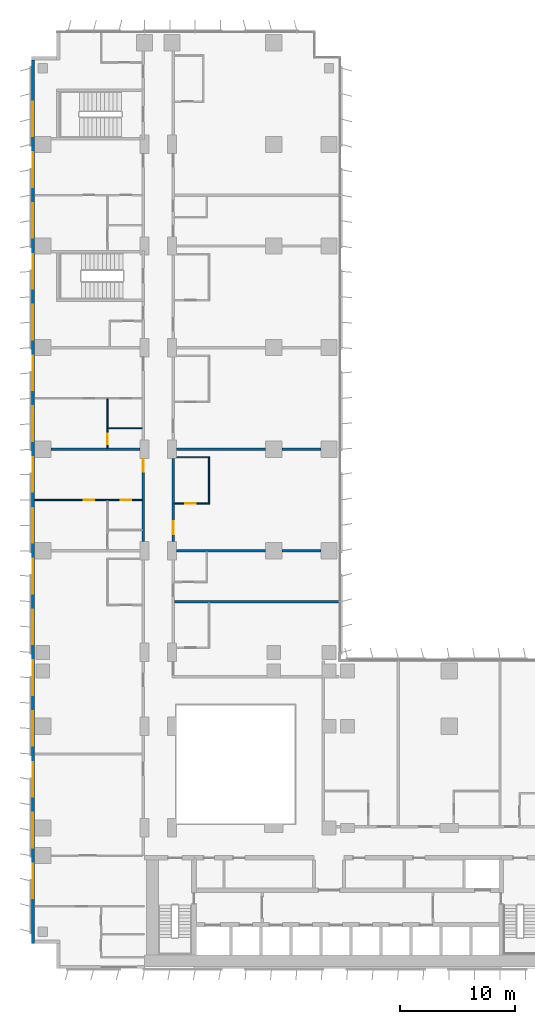
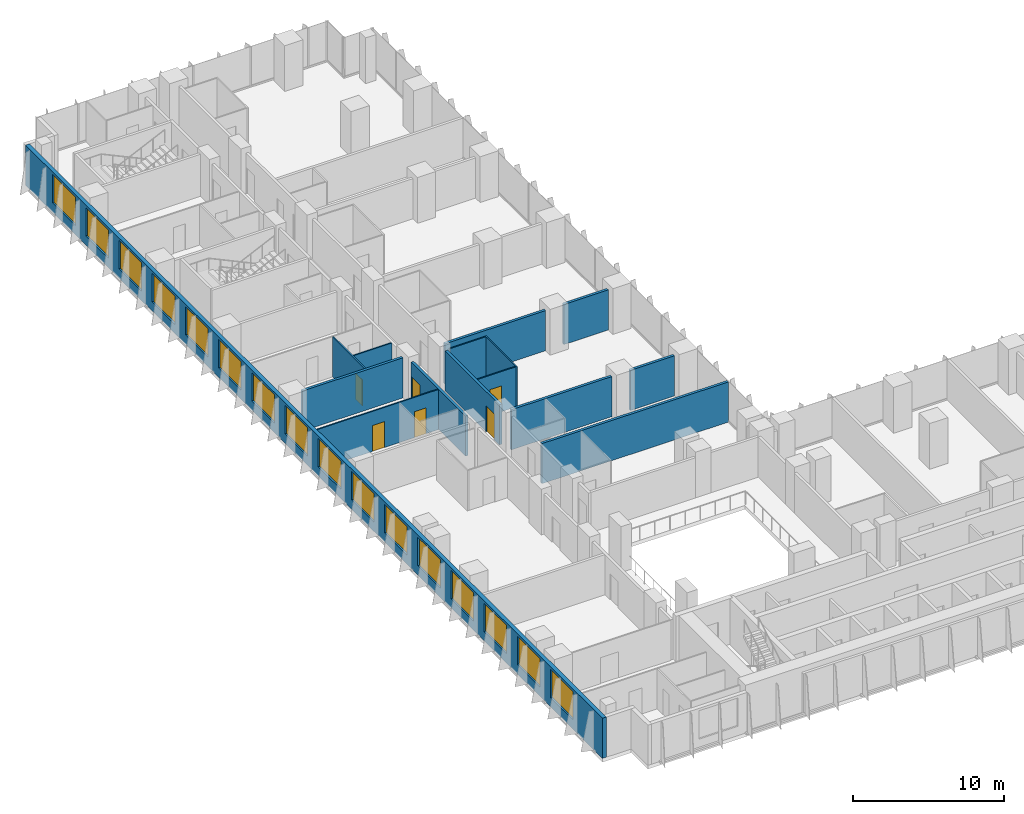
# One storey, part 16 of 24: 16 windows, 15 walls, 6 doors, 22 openings.
"""IFC4 building model written with IfcOpenShell, lengths in metres."""

from ifc_helpers import new_model, si_unit, direction, frame, frame_2d, origin, place, context, subcontext, project, spatial, rectangle, extrude, material, layer, layer_set, type_object, element, fill, save


model = new_model("IFC4")

# Units and contexts
model_context = context("Model", 3, precision=1e-05, world=origin(), true_north=direction((0.0, 1.0)))
body_context = subcontext(model_context, "Body", "Model", "MODEL_VIEW")
ifc_project = project(units=[si_unit("LENGTHUNIT", "METRE"), si_unit("AREAUNIT", "SQUARE_METRE"), si_unit("VOLUMEUNIT", "CUBIC_METRE"), si_unit("PLANEANGLEUNIT", "RADIAN"), si_unit("MASSUNIT", "GRAM", prefix="KILO")], contexts=[model_context])

# Site, building, storey
site_placement = place(None, origin())
site = spatial("IfcSite", under=ifc_project, at=site_placement, CompositionType="ELEMENT")
building_placement = place(site_placement, origin())
building = spatial("IfcBuilding", under=site, at=building_placement, Name="Kemantara Hotel Tower", CompositionType="ELEMENT")
storey_placement = place(building_placement, frame((0.0, 0.0, 79.699951171875)))
storey = spatial("IfcBuildingStorey", under=building, at=storey_placement, Name="L18", CompositionType="ELEMENT", Elevation=79.699951171875)

# Wall, openings, windows
ifc_material_1 = material(Name="Bronze anodised aluminium cladding on insulated steel stud wall", Category="steel")
ifc_layer_1 = layer(ifc_material_1, 0.300048828125)
ifc_layer_set_1 = layer_set([ifc_layer_1], Name="Bronze anodised aluminium cladding on insulated steel stud wall")
wall_type_1 = type_object("IfcWallType", Name="BRONZE METAL-CLAD EXTERNAL WALL 300", PredefinedType="STANDARD", material=ifc_layer_set_1)
wall_1_placement = place(storey_placement, frame((0.14990234375, 78.699951171875, 0.0), z_axis=(0.0, 0.0, 1.0), x_axis=(0.0, -1.0, 0.0)))
wall_1 = element("IfcWall", 1, at=wall_1_placement, inside=storey, type_object=wall_type_1, Name="EXTERNAL WALL L18 T1-R14", PredefinedType="STANDARD", context=body_context, shape_type="SweptSolid", body=[
    extrude(rectangle(XDim=76.5, YDim=0.300048828125, at=frame_2d((38.25, 0.0))), origin(), (0.0, 0.0, 1.0), 3.25),
])
opening_1_placement = place(wall_1_placement, frame((3.60009765625, 0.0, 0.75)))
opening_1 = element("IfcOpeningElement", 2, at=opening_1_placement, cuts=wall_1, Name="Opening W1", PredefinedType="OPENING", context=body_context, shape_type="SweptSolid", body=[
    extrude(rectangle(XDim=3.0, YDim=2.300048828125, at=frame_2d((1.5, 1.14990234375))), frame((0.0, 0.159912109375, 0.0), z_axis=(0.0, -1.0, 0.0), x_axis=(1.0, 0.0, 0.0)), (0.0, 0.0, 1.0), 0.320068359375),
])
opening_2_placement = place(wall_1_placement, frame((8.0, 0.0, 0.75)))
opening_2 = element("IfcOpeningElement", 3, at=opening_2_placement, cuts=wall_1, Name="Opening W1", PredefinedType="OPENING", context=body_context, shape_type="SweptSolid", body=[
    extrude(rectangle(XDim=3.0, YDim=2.300048828125, at=frame_2d((1.5, 1.14990234375))), frame((0.0, 0.159912109375, 0.0), z_axis=(0.0, -1.0, 0.0), x_axis=(1.0, 0.0, 0.0)), (0.0, 0.0, 1.0), 0.320068359375),
])
opening_3_placement = place(wall_1_placement, frame((12.39990234375, 0.0, 0.75)))
opening_3 = element("IfcOpeningElement", 4, at=opening_3_placement, cuts=wall_1, Name="Opening W1", PredefinedType="OPENING", context=body_context, shape_type="SweptSolid", body=[
    extrude(rectangle(XDim=3.0, YDim=2.300048828125, at=frame_2d((1.5, 1.14990234375))), frame((0.0, 0.159912109375, 0.0), z_axis=(0.0, -1.0, 0.0), x_axis=(1.0, 0.0, 0.0)), (0.0, 0.0, 1.0), 0.320068359375),
])
opening_4_placement = place(wall_1_placement, frame((16.800048828125, 0.0, 0.75)))
opening_4 = element("IfcOpeningElement", 5, at=opening_4_placement, cuts=wall_1, Name="Opening W1", PredefinedType="OPENING", context=body_context, shape_type="SweptSolid", body=[
    extrude(rectangle(XDim=3.0, YDim=2.300048828125, at=frame_2d((1.5, 1.14990234375))), frame((0.0, 0.159912109375, 0.0), z_axis=(0.0, -1.0, 0.0), x_axis=(1.0, 0.0, 0.0)), (0.0, 0.0, 1.0), 0.320068359375),
])
opening_5_placement = place(wall_1_placement, frame((21.199951171875, 0.0, 0.75)))
opening_5 = element("IfcOpeningElement", 6, at=opening_5_placement, cuts=wall_1, Name="Opening W1", PredefinedType="OPENING", context=body_context, shape_type="SweptSolid", body=[
    extrude(rectangle(XDim=3.0, YDim=2.300048828125, at=frame_2d((1.5, 1.14990234375))), frame((0.0, 0.159912109375, 0.0), z_axis=(0.0, -1.0, 0.0), x_axis=(1.0, 0.0, 0.0)), (0.0, 0.0, 1.0), 0.320068359375),
])
opening_6_placement = place(wall_1_placement, frame((25.60009765625, 0.0, 0.75)))
opening_6 = element("IfcOpeningElement", 7, at=opening_6_placement, cuts=wall_1, Name="Opening W1", PredefinedType="OPENING", context=body_context, shape_type="SweptSolid", body=[
    extrude(rectangle(XDim=3.0, YDim=2.300048828125, at=frame_2d((1.5, 1.14990234375))), frame((0.0, 0.159912109375, 0.0), z_axis=(0.0, -1.0, 0.0), x_axis=(1.0, 0.0, 0.0)), (0.0, 0.0, 1.0), 0.320068359375),
])
opening_7_placement = place(wall_1_placement, frame((30.0, 0.0, 0.75)))
opening_7 = element("IfcOpeningElement", 8, at=opening_7_placement, cuts=wall_1, Name="Opening W1", PredefinedType="OPENING", context=body_context, shape_type="SweptSolid", body=[
    extrude(rectangle(XDim=3.0, YDim=2.300048828125, at=frame_2d((1.5, 1.14990234375))), frame((0.0, 0.159912109375, 0.0), z_axis=(0.0, -1.0, 0.0), x_axis=(1.0, 0.0, 0.0)), (0.0, 0.0, 1.0), 0.320068359375),
])
opening_8_placement = place(wall_1_placement, frame((34.39990234375, 0.0, 0.75)))
opening_8 = element("IfcOpeningElement", 9, at=opening_8_placement, cuts=wall_1, Name="Opening W1", PredefinedType="OPENING", context=body_context, shape_type="SweptSolid", body=[
    extrude(rectangle(XDim=3.0, YDim=2.300048828125, at=frame_2d((1.5, 1.14990234375))), frame((0.0, 0.159912109375, 0.0), z_axis=(0.0, -1.0, 0.0), x_axis=(1.0, 0.0, 0.0)), (0.0, 0.0, 1.0), 0.320068359375),
])
opening_9_placement = place(wall_1_placement, frame((38.800048828125, 0.0, 0.75)))
opening_9 = element("IfcOpeningElement", 10, at=opening_9_placement, cuts=wall_1, Name="Opening W1", PredefinedType="OPENING", context=body_context, shape_type="SweptSolid", body=[
    extrude(rectangle(XDim=3.0, YDim=2.300048828125, at=frame_2d((1.5, 1.14990234375))), frame((0.0, 0.159912109375, 0.0), z_axis=(0.0, -1.0, 0.0), x_axis=(1.0, 0.0, 0.0)), (0.0, 0.0, 1.0), 0.320068359375),
])
opening_10_placement = place(wall_1_placement, frame((43.199951171875, 0.0, 0.75)))
opening_10 = element("IfcOpeningElement", 11, at=opening_10_placement, cuts=wall_1, Name="Opening W1", PredefinedType="OPENING", context=body_context, shape_type="SweptSolid", body=[
    extrude(rectangle(XDim=3.0, YDim=2.300048828125, at=frame_2d((1.5, 1.14990234375))), frame((0.0, 0.159912109375, 0.0), z_axis=(0.0, -1.0, 0.0), x_axis=(1.0, 0.0, 0.0)), (0.0, 0.0, 1.0), 0.320068359375),
])
opening_11_placement = place(wall_1_placement, frame((47.60009765625, 0.0, 0.75)))
opening_11 = element("IfcOpeningElement", 12, at=opening_11_placement, cuts=wall_1, Name="Opening W1", PredefinedType="OPENING", context=body_context, shape_type="SweptSolid", body=[
    extrude(rectangle(XDim=3.0, YDim=2.300048828125, at=frame_2d((1.5, 1.14990234375))), frame((0.0, 0.159912109375, 0.0), z_axis=(0.0, -1.0, 0.0), x_axis=(1.0, 0.0, 0.0)), (0.0, 0.0, 1.0), 0.320068359375),
])
opening_12_placement = place(wall_1_placement, frame((52.0, 0.0, 0.75)))
opening_12 = element("IfcOpeningElement", 13, at=opening_12_placement, cuts=wall_1, Name="Opening W1", PredefinedType="OPENING", context=body_context, shape_type="SweptSolid", body=[
    extrude(rectangle(XDim=3.0, YDim=2.300048828125, at=frame_2d((1.5, 1.14990234375))), frame((0.0, 0.159912109375, 0.0), z_axis=(0.0, -1.0, 0.0), x_axis=(1.0, 0.0, 0.0)), (0.0, 0.0, 1.0), 0.320068359375),
])
opening_13_placement = place(wall_1_placement, frame((56.39990234375, 0.0, 0.75)))
opening_13 = element("IfcOpeningElement", 14, at=opening_13_placement, cuts=wall_1, Name="Opening W1", PredefinedType="OPENING", context=body_context, shape_type="SweptSolid", body=[
    extrude(rectangle(XDim=3.0, YDim=2.300048828125, at=frame_2d((1.5, 1.14990234375))), frame((0.0, 0.159912109375, 0.0), z_axis=(0.0, -1.0, 0.0), x_axis=(1.0, 0.0, 0.0)), (0.0, 0.0, 1.0), 0.320068359375),
])
opening_14_placement = place(wall_1_placement, frame((60.800048828125, 0.0, 0.75)))
opening_14 = element("IfcOpeningElement", 15, at=opening_14_placement, cuts=wall_1, Name="Opening W1", PredefinedType="OPENING", context=body_context, shape_type="SweptSolid", body=[
    extrude(rectangle(XDim=3.0, YDim=2.300048828125, at=frame_2d((1.5, 1.14990234375))), frame((0.0, 0.159912109375, 0.0), z_axis=(0.0, -1.0, 0.0), x_axis=(1.0, 0.0, 0.0)), (0.0, 0.0, 1.0), 0.320068359375),
])
opening_15_placement = place(wall_1_placement, frame((65.199951171875, 0.0, 0.75)))
opening_15 = element("IfcOpeningElement", 16, at=opening_15_placement, cuts=wall_1, Name="Opening W1", PredefinedType="OPENING", context=body_context, shape_type="SweptSolid", body=[
    extrude(rectangle(XDim=3.0, YDim=2.300048828125, at=frame_2d((1.5, 1.14990234375))), frame((0.0, 0.159912109375, 0.0), z_axis=(0.0, -1.0, 0.0), x_axis=(1.0, 0.0, 0.0)), (0.0, 0.0, 1.0), 0.320068359375),
])
opening_16_placement = place(wall_1_placement, frame((69.60009765625, 0.0, 0.75)))
opening_16 = element("IfcOpeningElement", 17, at=opening_16_placement, cuts=wall_1, Name="Opening W1", PredefinedType="OPENING", context=body_context, shape_type="SweptSolid", body=[
    extrude(rectangle(XDim=3.0, YDim=2.300048828125, at=frame_2d((1.5, 1.14990234375))), frame((0.0, 0.159912109375, 0.0), z_axis=(0.0, -1.0, 0.0), x_axis=(1.0, 0.0, 0.0)), (0.0, 0.0, 1.0), 0.320068359375),
])
ifc_material_2 = material(Name="Low-E tinted double insulated glass in bronze anodised aluminium frame", Category="aluminium")
window_type = type_object("IfcWindowType", Name="CHICAGO WINDOW, TRIPLE PANEL 3000x2300", PartitioningType="TRIPLE_PANEL_VERTICAL", PredefinedType="WINDOW", material=ifc_material_2)
window_1_placement = place(opening_1_placement, origin())
window_1 = element("IfcWindow", 18, at=window_1_placement, inside=storey, type_object=window_type, Name="CHICAGO WINDOW L18 T1-R14-54", OverallHeight=2.300048828125, OverallWidth=3.0, PartitioningType="SINGLE_PANEL", PredefinedType="WINDOW", context=body_context, shape_type="SweptSolid", body=[
    extrude(rectangle(XDim=3.0, YDim=2.300048828125, at=frame_2d((1.5, 1.14990234375))), frame((0.0, 0.030029296875, 0.0), z_axis=(0.0, -1.0, 0.0), x_axis=(1.0, 0.0, 0.0)), (0.0, 0.0, 1.0), 0.06005859375),
])
fill(opening_1, window_1)
window_2_placement = place(opening_2_placement, origin())
window_2 = element("IfcWindow", 19, at=window_2_placement, inside=storey, type_object=window_type, Name="CHICAGO WINDOW L18 T1-R14-98", OverallHeight=2.300048828125, OverallWidth=3.0, PartitioningType="SINGLE_PANEL", PredefinedType="WINDOW", context=body_context, shape_type="SweptSolid", body=[
    extrude(rectangle(XDim=3.0, YDim=2.300048828125, at=frame_2d((1.5, 1.14990234375))), frame((0.0, 0.030029296875, 0.0), z_axis=(0.0, -1.0, 0.0), x_axis=(1.0, 0.0, 0.0)), (0.0, 0.0, 1.0), 0.06005859375),
])
fill(opening_2, window_2)
window_3_placement = place(opening_3_placement, origin())
window_3 = element("IfcWindow", 20, at=window_3_placement, inside=storey, type_object=window_type, Name="CHICAGO WINDOW L18 T1-R14-142", OverallHeight=2.300048828125, OverallWidth=3.0, PartitioningType="SINGLE_PANEL", PredefinedType="WINDOW", context=body_context, shape_type="SweptSolid", body=[
    extrude(rectangle(XDim=3.0, YDim=2.300048828125, at=frame_2d((1.5, 1.14990234375))), frame((0.0, 0.030029296875, 0.0), z_axis=(0.0, -1.0, 0.0), x_axis=(1.0, 0.0, 0.0)), (0.0, 0.0, 1.0), 0.06005859375),
])
fill(opening_3, window_3)
window_4_placement = place(opening_4_placement, origin())
window_4 = element("IfcWindow", 21, at=window_4_placement, inside=storey, type_object=window_type, Name="CHICAGO WINDOW L18 T1-R14-186", OverallHeight=2.300048828125, OverallWidth=3.0, PartitioningType="SINGLE_PANEL", PredefinedType="WINDOW", context=body_context, shape_type="SweptSolid", body=[
    extrude(rectangle(XDim=3.0, YDim=2.300048828125, at=frame_2d((1.5, 1.14990234375))), frame((0.0, 0.030029296875, 0.0), z_axis=(0.0, -1.0, 0.0), x_axis=(1.0, 0.0, 0.0)), (0.0, 0.0, 1.0), 0.06005859375),
])
fill(opening_4, window_4)
window_5_placement = place(opening_5_placement, origin())
window_5 = element("IfcWindow", 22, at=window_5_placement, inside=storey, type_object=window_type, Name="CHICAGO WINDOW L18 T1-R14-230", OverallHeight=2.300048828125, OverallWidth=3.0, PartitioningType="SINGLE_PANEL", PredefinedType="WINDOW", context=body_context, shape_type="SweptSolid", body=[
    extrude(rectangle(XDim=3.0, YDim=2.300048828125, at=frame_2d((1.5, 1.14990234375))), frame((0.0, 0.030029296875, 0.0), z_axis=(0.0, -1.0, 0.0), x_axis=(1.0, 0.0, 0.0)), (0.0, 0.0, 1.0), 0.06005859375),
])
fill(opening_5, window_5)
window_6_placement = place(opening_6_placement, origin())
window_6 = element("IfcWindow", 23, at=window_6_placement, inside=storey, type_object=window_type, Name="CHICAGO WINDOW L18 T1-R14-274", OverallHeight=2.300048828125, OverallWidth=3.0, PartitioningType="SINGLE_PANEL", PredefinedType="WINDOW", context=body_context, shape_type="SweptSolid", body=[
    extrude(rectangle(XDim=3.0, YDim=2.300048828125, at=frame_2d((1.5, 1.14990234375))), frame((0.0, 0.030029296875, 0.0), z_axis=(0.0, -1.0, 0.0), x_axis=(1.0, 0.0, 0.0)), (0.0, 0.0, 1.0), 0.06005859375),
])
fill(opening_6, window_6)
window_7_placement = place(opening_7_placement, origin())
window_7 = element("IfcWindow", 24, at=window_7_placement, inside=storey, type_object=window_type, Name="CHICAGO WINDOW L18 T1-R14-318", OverallHeight=2.300048828125, OverallWidth=3.0, PartitioningType="SINGLE_PANEL", PredefinedType="WINDOW", context=body_context, shape_type="SweptSolid", body=[
    extrude(rectangle(XDim=3.0, YDim=2.300048828125, at=frame_2d((1.5, 1.14990234375))), frame((0.0, 0.030029296875, 0.0), z_axis=(0.0, -1.0, 0.0), x_axis=(1.0, 0.0, 0.0)), (0.0, 0.0, 1.0), 0.06005859375),
])
fill(opening_7, window_7)
window_8_placement = place(opening_8_placement, origin())
window_8 = element("IfcWindow", 25, at=window_8_placement, inside=storey, type_object=window_type, Name="CHICAGO WINDOW L18 T1-R14-362", OverallHeight=2.300048828125, OverallWidth=3.0, PartitioningType="SINGLE_PANEL", PredefinedType="WINDOW", context=body_context, shape_type="SweptSolid", body=[
    extrude(rectangle(XDim=3.0, YDim=2.300048828125, at=frame_2d((1.5, 1.14990234375))), frame((0.0, 0.030029296875, 0.0), z_axis=(0.0, -1.0, 0.0), x_axis=(1.0, 0.0, 0.0)), (0.0, 0.0, 1.0), 0.06005859375),
])
fill(opening_8, window_8)
window_9_placement = place(opening_9_placement, origin())
window_9 = element("IfcWindow", 26, at=window_9_placement, inside=storey, type_object=window_type, Name="CHICAGO WINDOW L18 T1-R14-406", OverallHeight=2.300048828125, OverallWidth=3.0, PartitioningType="SINGLE_PANEL", PredefinedType="WINDOW", context=body_context, shape_type="SweptSolid", body=[
    extrude(rectangle(XDim=3.0, YDim=2.300048828125, at=frame_2d((1.5, 1.14990234375))), frame((0.0, 0.030029296875, 0.0), z_axis=(0.0, -1.0, 0.0), x_axis=(1.0, 0.0, 0.0)), (0.0, 0.0, 1.0), 0.06005859375),
])
fill(opening_9, window_9)
window_10_placement = place(opening_10_placement, origin())
window_10 = element("IfcWindow", 27, at=window_10_placement, inside=storey, type_object=window_type, Name="CHICAGO WINDOW L18 T1-R14-450", OverallHeight=2.300048828125, OverallWidth=3.0, PartitioningType="SINGLE_PANEL", PredefinedType="WINDOW", context=body_context, shape_type="SweptSolid", body=[
    extrude(rectangle(XDim=3.0, YDim=2.300048828125, at=frame_2d((1.5, 1.14990234375))), frame((0.0, 0.030029296875, 0.0), z_axis=(0.0, -1.0, 0.0), x_axis=(1.0, 0.0, 0.0)), (0.0, 0.0, 1.0), 0.06005859375),
])
fill(opening_10, window_10)
window_11_placement = place(opening_11_placement, origin())
window_11 = element("IfcWindow", 28, at=window_11_placement, inside=storey, type_object=window_type, Name="CHICAGO WINDOW L18 T1-R14-494", OverallHeight=2.300048828125, OverallWidth=3.0, PartitioningType="SINGLE_PANEL", PredefinedType="WINDOW", context=body_context, shape_type="SweptSolid", body=[
    extrude(rectangle(XDim=3.0, YDim=2.300048828125, at=frame_2d((1.5, 1.14990234375))), frame((0.0, 0.030029296875, 0.0), z_axis=(0.0, -1.0, 0.0), x_axis=(1.0, 0.0, 0.0)), (0.0, 0.0, 1.0), 0.06005859375),
])
fill(opening_11, window_11)
window_12_placement = place(opening_12_placement, origin())
window_12 = element("IfcWindow", 29, at=window_12_placement, inside=storey, type_object=window_type, Name="CHICAGO WINDOW L18 T1-R14-538", OverallHeight=2.300048828125, OverallWidth=3.0, PartitioningType="SINGLE_PANEL", PredefinedType="WINDOW", context=body_context, shape_type="SweptSolid", body=[
    extrude(rectangle(XDim=3.0, YDim=2.300048828125, at=frame_2d((1.5, 1.14990234375))), frame((0.0, 0.030029296875, 0.0), z_axis=(0.0, -1.0, 0.0), x_axis=(1.0, 0.0, 0.0)), (0.0, 0.0, 1.0), 0.06005859375),
])
fill(opening_12, window_12)
window_13_placement = place(opening_13_placement, origin())
window_13 = element("IfcWindow", 30, at=window_13_placement, inside=storey, type_object=window_type, Name="CHICAGO WINDOW L18 T1-R14-582", OverallHeight=2.300048828125, OverallWidth=3.0, PartitioningType="SINGLE_PANEL", PredefinedType="WINDOW", context=body_context, shape_type="SweptSolid", body=[
    extrude(rectangle(XDim=3.0, YDim=2.300048828125, at=frame_2d((1.5, 1.14990234375))), frame((0.0, 0.030029296875, 0.0), z_axis=(0.0, -1.0, 0.0), x_axis=(1.0, 0.0, 0.0)), (0.0, 0.0, 1.0), 0.06005859375),
])
fill(opening_13, window_13)
window_14_placement = place(opening_14_placement, origin())
window_14 = element("IfcWindow", 31, at=window_14_placement, inside=storey, type_object=window_type, Name="CHICAGO WINDOW L18 T1-R14-626", OverallHeight=2.300048828125, OverallWidth=3.0, PartitioningType="SINGLE_PANEL", PredefinedType="WINDOW", context=body_context, shape_type="SweptSolid", body=[
    extrude(rectangle(XDim=3.0, YDim=2.300048828125, at=frame_2d((1.5, 1.14990234375))), frame((0.0, 0.030029296875, 0.0), z_axis=(0.0, -1.0, 0.0), x_axis=(1.0, 0.0, 0.0)), (0.0, 0.0, 1.0), 0.06005859375),
])
fill(opening_14, window_14)
window_15_placement = place(opening_15_placement, origin())
window_15 = element("IfcWindow", 32, at=window_15_placement, inside=storey, type_object=window_type, Name="CHICAGO WINDOW L18 T1-R14-670", OverallHeight=2.300048828125, OverallWidth=3.0, PartitioningType="SINGLE_PANEL", PredefinedType="WINDOW", context=body_context, shape_type="SweptSolid", body=[
    extrude(rectangle(XDim=3.0, YDim=2.300048828125, at=frame_2d((1.5, 1.14990234375))), frame((0.0, 0.030029296875, 0.0), z_axis=(0.0, -1.0, 0.0), x_axis=(1.0, 0.0, 0.0)), (0.0, 0.0, 1.0), 0.06005859375),
])
fill(opening_15, window_15)
window_16_placement = place(opening_16_placement, origin())
window_16 = element("IfcWindow", 33, at=window_16_placement, inside=storey, type_object=window_type, Name="CHICAGO WINDOW L18 T1-R14-714", OverallHeight=2.300048828125, OverallWidth=3.0, PartitioningType="SINGLE_PANEL", PredefinedType="WINDOW", context=body_context, shape_type="SweptSolid", body=[
    extrude(rectangle(XDim=3.0, YDim=2.300048828125, at=frame_2d((1.5, 1.14990234375))), frame((0.0, 0.030029296875, 0.0), z_axis=(0.0, -1.0, 0.0), x_axis=(1.0, 0.0, 0.0)), (0.0, 0.0, 1.0), 0.06005859375),
])
fill(opening_16, window_16)

# Wall, opening, door
ifc_material_3 = material(Name="Gypsum board partition, steel studs and mineral wool, 200 mm", Category="steel")
ifc_layer_2 = layer(ifc_material_3, 0.199951171875)
ifc_layer_set_2 = layer_set([ifc_layer_2], Name="Gypsum board partition, steel studs and mineral wool, 200 mm")
wall_type_2 = type_object("IfcWallType", Name="CORRIDOR WALL 200", PredefinedType="PARTITIONING", material=ifc_layer_set_2)
wall_2_placement = place(storey_placement, frame((9.699951171875, 37.0, 0.0), z_axis=(0.0, 0.0, 1.0), x_axis=(0.0, 1.0, 0.0)))
wall_2 = element("IfcWall", 34, at=wall_2_placement, inside=storey, type_object=wall_type_2, Name="CORRIDOR WALL 200 029", PredefinedType="PARTITIONING", context=body_context, shape_type="SweptSolid", body=[
    extrude(rectangle(XDim=7.199951171875, YDim=0.199951171875, at=frame_2d((3.60009765625, 0.0))), origin(), (0.0, 0.0, 1.0), 3.25),
])
opening_17_placement = place(wall_2_placement, frame((6.0498046875, 0.0, 0.0)))
opening_17 = element("IfcOpeningElement", 35, at=opening_17_placement, cuts=wall_2, Name="Opening F06-036", PredefinedType="OPENING", context=body_context, shape_type="SweptSolid", body=[
    extrude(rectangle(XDim=1.10009765625, YDim=2.10009765625, at=frame_2d((0.550048828125, 1.050048828125))), frame((0.0, 0.10986328125, 0.0), z_axis=(0.0, -1.0, 0.0), x_axis=(1.0, 0.0, 0.0)), (0.0, 0.0, 1.0), 0.219970703125),
])
ifc_material_4 = material(Name="Hardwood veneer door leaf with steel frame", Category="steel")
door_type_1 = type_object("IfcDoorType", Name="SUITE ENTRANCE DOOR 1100 X 2100 FD30S", OperationType="NOTDEFINED", PredefinedType="DOOR", material=ifc_material_4)
door_1_placement = place(opening_17_placement, origin())
door_1 = element("IfcDoor", 36, at=door_1_placement, inside=storey, type_object=door_type_1, Name="SUITE ENTRANCE DOOR F06-036", OperationType="SINGLE_SWING_RIGHT", OverallHeight=2.10009765625, OverallWidth=1.10009765625, PredefinedType="DOOR", context=body_context, shape_type="SweptSolid", body=[
    extrude(rectangle(XDim=1.10009765625, YDim=2.10009765625, at=frame_2d((0.550048828125, 1.050048828125))), frame((0.0, 0.02490234375, 0.0), z_axis=(0.0, -1.0, 0.0), x_axis=(1.0, 0.0, 0.0)), (0.0, 0.0, 1.0), 0.050048828125),
])
fill(opening_17, door_1)

wall_3_placement = place(storey_placement, frame((12.300048828125, 44.199951171875, 0.0), z_axis=(0.0, 0.0, 1.0), x_axis=(0.0, -1.0, 0.0)))
wall_3 = element("IfcWall", 37, at=wall_3_placement, inside=storey, type_object=wall_type_2, Name="CORRIDOR WALL 200 046", PredefinedType="PARTITIONING", context=body_context, shape_type="SweptSolid", body=[
    extrude(rectangle(XDim=7.199951171875, YDim=0.199951171875, at=frame_2d((3.60009765625, 0.0))), origin(), (0.0, 0.0, 1.0), 3.25),
])
opening_18_placement = place(wall_3_placement, frame((5.449951171875, 0.0, 0.0)))
opening_18 = element("IfcOpeningElement", 38, at=opening_18_placement, cuts=wall_3, Name="Opening F06-056", PredefinedType="OPENING", context=body_context, shape_type="SweptSolid", body=[
    extrude(rectangle(XDim=1.10009765625, YDim=2.10009765625, at=frame_2d((0.550048828125, 1.050048828125))), frame((0.0, 0.10986328125, 0.0), z_axis=(0.0, -1.0, 0.0), x_axis=(1.0, 0.0, 0.0)), (0.0, 0.0, 1.0), 0.219970703125),
])
door_2_placement = place(opening_18_placement, origin())
door_2 = element("IfcDoor", 39, at=door_2_placement, inside=storey, type_object=door_type_1, Name="SUITE ENTRANCE DOOR F06-056", OperationType="SINGLE_SWING_RIGHT", OverallHeight=2.10009765625, OverallWidth=1.10009765625, PredefinedType="DOOR", context=body_context, shape_type="SweptSolid", body=[
    extrude(rectangle(XDim=1.10009765625, YDim=2.10009765625, at=frame_2d((0.550048828125, 1.050048828125))), frame((0.0, 0.02490234375, 0.0), z_axis=(0.0, -1.0, 0.0), x_axis=(1.0, 0.0, 0.0)), (0.0, 0.0, 1.0), 0.050048828125),
])
fill(opening_18, door_2)

# Walls
ifc_layer_3 = layer(ifc_material_3, 0.199951171875)
ifc_layer_set_3 = layer_set([ifc_layer_3], Name="Gypsum board partition, steel studs and mineral wool, 200 mm")
wall_type_3 = type_object("IfcWallType", Name="GUEST ROOM PARTY WALL 200", PredefinedType="PARTITIONING", material=ifc_layer_set_3)
wall_4_placement = place(storey_placement, frame((12.60009765625, 36.199951171875, 0.0), z_axis=(0.0, 0.0, 1.0), x_axis=(1.0, 0.0, 0.0)))
element("IfcWall", 40, at=wall_4_placement, inside=storey, type_object=wall_type_3, Name="GUEST ROOM PARTY WALL 200 036", PredefinedType="PARTITIONING", context=body_context, shape_type="SweptSolid", body=[
    extrude(rectangle(XDim=7.69970703125, YDim=0.199951171875, at=frame_2d((3.849853515625, 0.0))), origin(), (0.0, 0.0, 1.0), 3.25),
])
wall_5_placement = place(storey_placement, frame((21.7001953125, 36.199951171875, 0.0), z_axis=(0.0, 0.0, 1.0), x_axis=(1.0, 0.0, 0.0)))
element("IfcWall", 41, at=wall_5_placement, inside=storey, type_object=wall_type_3, Name="GUEST ROOM PARTY WALL 200 037", PredefinedType="PARTITIONING", context=body_context, shape_type="SweptSolid", body=[
    extrude(rectangle(XDim=3.399658203125, YDim=0.199951171875, at=frame_2d((1.69970703125, 0.0))), origin(), (0.0, 0.0, 1.0), 3.25),
])
for number, where, z_axis, x_axis, name in (
    (42, (1.7001953125, 45.0, 0.0), (0.0, 0.0, 1.0), (1.0, 0.0, 0.0), "GUEST ROOM PARTY WALL 200 038"),
    (43, (12.60009765625, 45.0, 0.0), (0.0, 0.0, 1.0), (1.0, 0.0, 0.0), "GUEST ROOM PARTY WALL 200 039"),
):
    element("IfcWall", number, at=place(storey_placement, frame(where, z_axis=z_axis, x_axis=x_axis)), inside=storey, type_object=wall_type_3, Name=name, PredefinedType="PARTITIONING", context=body_context, shape_type="SweptSolid", body=[
        extrude(rectangle(XDim=7.69970703125, YDim=0.199951171875, at=frame_2d((3.849853515625, 0.0))), origin(), (0.0, 0.0, 1.0), 3.25),
    ])
wall_6_placement = place(storey_placement, frame((21.7001953125, 45.0, 0.0), z_axis=(0.0, 0.0, 1.0), x_axis=(1.0, 0.0, 0.0)))
element("IfcWall", 44, at=wall_6_placement, inside=storey, type_object=wall_type_3, Name="GUEST ROOM PARTY WALL 200 040", PredefinedType="PARTITIONING", context=body_context, shape_type="SweptSolid", body=[
    extrude(rectangle(XDim=3.399658203125, YDim=0.199951171875, at=frame_2d((1.69970703125, 0.0))), origin(), (0.0, 0.0, 1.0), 3.25),
])
wall_7_placement = place(storey_placement, frame((12.39990234375, 31.800048828125, 0.0), z_axis=(0.0, 0.0, 1.0), x_axis=(1.0, 0.0, 0.0)))
element("IfcWall", 45, at=wall_7_placement, inside=storey, type_object=wall_type_3, Name="GUEST ROOM PARTY WALL 200 054", PredefinedType="PARTITIONING", context=body_context, shape_type="SweptSolid", body=[
    extrude(rectangle(XDim=14.27001953125, YDim=0.199951171875, at=frame_2d((7.135009765625, 0.0))), origin(), (0.0, 0.0, 1.0), 3.25),
])

# Wall, opening, door
ifc_material_5 = material(Name="Gypsum board partition on steel studs, 100 mm", Category="steel")
ifc_layer_4 = layer(ifc_material_5, 0.10009765625)
ifc_layer_set_4 = layer_set([ifc_layer_4], Name="Gypsum board partition on steel studs, 100 mm")
wall_type_4 = type_object("IfcWallType", Name="ROOM PARTITION 100", PredefinedType="PARTITIONING", material=ifc_layer_set_4)
wall_8_placement = place(storey_placement, frame((6.60009765625, 49.35009765625, 0.0), z_axis=(0.0, 0.0, 1.0), x_axis=(0.0, -1.0, 0.0)))
wall_8 = element("IfcWall", 46, at=wall_8_placement, inside=storey, type_object=wall_type_4, Name="ROOM PARTITION 100 093", PredefinedType="PARTITIONING", context=body_context, shape_type="SweptSolid", body=[
    extrude(rectangle(XDim=4.25, YDim=0.10009765625, at=frame_2d((2.125, 0.0))), origin(), (0.0, 0.0, 1.0), 3.25),
])
opening_19_placement = place(wall_8_placement, frame((3.0, 0.0, 0.0)))
opening_19 = element("IfcOpeningElement", 47, at=opening_19_placement, cuts=wall_8, Name="Opening F06-043", PredefinedType="OPENING", context=body_context, shape_type="SweptSolid", body=[
    extrude(rectangle(XDim=0.89990234375, YDim=2.10009765625, at=frame_2d((0.449951171875, 1.050048828125))), frame((0.0, 0.06005859375, 0.0), z_axis=(0.0, -1.0, 0.0), x_axis=(1.0, 0.0, 0.0)), (0.0, 0.0, 1.0), 0.1201171875),
])
door_type_2 = type_object("IfcDoorType", Name="BATHROOM DOOR 900 X 2100", OperationType="NOTDEFINED", PredefinedType="DOOR", material=ifc_material_4)
door_3_placement = place(opening_19_placement, origin())
door_3 = element("IfcDoor", 48, at=door_3_placement, inside=storey, type_object=door_type_2, Name="BATHROOM DOOR F06-043", OperationType="SINGLE_SWING_LEFT", OverallHeight=2.10009765625, OverallWidth=0.89990234375, PredefinedType="DOOR", context=body_context, shape_type="SweptSolid", body=[
    extrude(rectangle(XDim=0.89990234375, YDim=2.10009765625, at=frame_2d((0.449951171875, 1.050048828125))), frame((0.0, 0.02490234375, 0.0), z_axis=(0.0, -1.0, 0.0), x_axis=(1.0, 0.0, 0.0)), (0.0, 0.0, 1.0), 0.050048828125),
])
fill(opening_19, door_3)

# Wall, openings, doors
wall_9_placement = place(storey_placement, frame((0.31005859375, 40.60009765625, 0.0), z_axis=(0.0, 0.0, 1.0), x_axis=(1.0, 0.0, 0.0)))
wall_9 = element("IfcWall", 49, at=wall_9_placement, inside=storey, type_object=wall_type_4, Name="ROOM PARTITION 100 097", PredefinedType="PARTITIONING", context=body_context, shape_type="SweptSolid", body=[
    extrude(rectangle(XDim=9.2900390625, YDim=0.10009765625, at=frame_2d((4.64501953125, 0.0))), origin(), (0.0, 0.0, 1.0), 3.25),
])
opening_20_placement = place(wall_9_placement, frame((7.43994140625, 0.0, 0.0)))
opening_20 = element("IfcOpeningElement", 50, at=opening_20_placement, cuts=wall_9, Name="Opening F06-037", PredefinedType="OPENING", context=body_context, shape_type="SweptSolid", body=[
    extrude(rectangle(XDim=0.89990234375, YDim=2.10009765625, at=frame_2d((0.449951171875, 1.050048828125))), frame((0.0, 0.06005859375, 0.0), z_axis=(0.0, -1.0, 0.0), x_axis=(1.0, 0.0, 0.0)), (0.0, 0.0, 1.0), 0.1201171875),
])
opening_21_placement = place(wall_9_placement, frame((4.239990234375, 0.0, 0.0)))
opening_21 = element("IfcOpeningElement", 51, at=opening_21_placement, cuts=wall_9, Name="Opening F06-038", PredefinedType="OPENING", context=body_context, shape_type="SweptSolid", body=[
    extrude(rectangle(XDim=0.89990234375, YDim=2.10009765625, at=frame_2d((0.449951171875, 1.050048828125))), frame((0.0, 0.06005859375, 0.0), z_axis=(0.0, -1.0, 0.0), x_axis=(1.0, 0.0, 0.0)), (0.0, 0.0, 1.0), 0.1201171875),
])
door_type_3 = type_object("IfcDoorType", Name="INTERNAL DOOR 900 X 2100", OperationType="NOTDEFINED", PredefinedType="DOOR", material=ifc_material_4)
door_4_placement = place(opening_21_placement, frame((0.89990234375, 0.0, 0.0), z_axis=(0.0, 0.0, 1.0), x_axis=(-1.0, 0.0, 0.0)))
door_4 = element("IfcDoor", 52, at=door_4_placement, inside=storey, type_object=door_type_3, Name="INTERNAL DOOR F06-038", OperationType="SINGLE_SWING_RIGHT", OverallHeight=2.10009765625, OverallWidth=0.89990234375, PredefinedType="DOOR", context=body_context, shape_type="SweptSolid", body=[
    extrude(rectangle(XDim=0.89990234375, YDim=2.10009765625, at=frame_2d((0.449951171875, 1.050048828125))), frame((0.0, 0.02490234375, 0.0), z_axis=(0.0, -1.0, 0.0), x_axis=(1.0, 0.0, 0.0)), (0.0, 0.0, 1.0), 0.050048828125),
])
fill(opening_21, door_4)
door_type_4 = type_object("IfcDoorType", Name="PANTRY DOOR 900 X 2100", OperationType="NOTDEFINED", PredefinedType="DOOR", material=ifc_material_4)
door_5_placement = place(opening_20_placement, origin())
door_5 = element("IfcDoor", 53, at=door_5_placement, inside=storey, type_object=door_type_4, Name="PANTRY DOOR F06-037", OperationType="SINGLE_SWING_RIGHT", OverallHeight=2.10009765625, OverallWidth=0.89990234375, PredefinedType="DOOR", context=body_context, shape_type="SweptSolid", body=[
    extrude(rectangle(XDim=0.89990234375, YDim=2.10009765625, at=frame_2d((0.449951171875, 1.050048828125))), frame((0.0, 0.02490234375, 0.0), z_axis=(0.0, -1.0, 0.0), x_axis=(1.0, 0.0, 0.0)), (0.0, 0.0, 1.0), 0.050048828125),
])
fill(opening_20, door_5)

# Walls
wall_10_placement = place(storey_placement, frame((6.64990234375, 46.800048828125, 0.0), z_axis=(0.0, 0.0, 1.0), x_axis=(1.0, 0.0, 0.0)))
element("IfcWall", 54, at=wall_10_placement, inside=storey, type_object=wall_type_4, Name="ROOM PARTITION 100 100", PredefinedType="PARTITIONING", context=body_context, shape_type="SweptSolid", body=[
    extrude(rectangle(XDim=2.9501953125, YDim=0.10009765625, at=frame_2d((1.47509765625, 0.0))), origin(), (0.0, 0.0, 1.0), 3.25),
])
wall_11_placement = place(storey_placement, frame((15.39990234375, 40.25, 0.0), z_axis=(0.0, 0.0, 1.0), x_axis=(0.0, 1.0, 0.0)))
element("IfcWall", 55, at=wall_11_placement, inside=storey, type_object=wall_type_4, Name="ROOM PARTITION 100 107", PredefinedType="PARTITIONING", context=body_context, shape_type="SweptSolid", body=[
    extrude(rectangle(XDim=4.10009765625, YDim=0.10009765625, at=frame_2d((2.050048828125, 0.0))), origin(), (0.0, 0.0, 1.0), 3.25),
])

# Wall, opening, door
wall_12_placement = place(storey_placement, frame((12.39990234375, 40.300048828125, 0.0), z_axis=(0.0, 0.0, 1.0), x_axis=(1.0, 0.0, 0.0)))
wall_12 = element("IfcWall", 56, at=wall_12_placement, inside=storey, type_object=wall_type_4, Name="ROOM PARTITION 100 114", PredefinedType="PARTITIONING", context=body_context, shape_type="SweptSolid", body=[
    extrude(rectangle(XDim=2.9501953125, YDim=0.10009765625, at=frame_2d((1.47509765625, 0.0))), origin(), (0.0, 0.0, 1.0), 3.25),
])
opening_22_placement = place(wall_12_placement, frame((0.949951171875, 0.0, 0.0)))
opening_22 = element("IfcOpeningElement", 57, at=opening_22_placement, cuts=wall_12, Name="Opening F06-057", PredefinedType="OPENING", context=body_context, shape_type="SweptSolid", body=[
    extrude(rectangle(XDim=0.89990234375, YDim=2.10009765625, at=frame_2d((0.449951171875, 1.050048828125))), frame((0.0, 0.06005859375, 0.0), z_axis=(0.0, -1.0, 0.0), x_axis=(1.0, 0.0, 0.0)), (0.0, 0.0, 1.0), 0.1201171875),
])
door_6_placement = place(opening_22_placement, origin())
door_6 = element("IfcDoor", 58, at=door_6_placement, inside=storey, type_object=door_type_2, Name="BATHROOM DOOR F06-057", OperationType="SINGLE_SWING_LEFT", OverallHeight=2.10009765625, OverallWidth=0.89990234375, PredefinedType="DOOR", context=body_context, shape_type="SweptSolid", body=[
    extrude(rectangle(XDim=0.89990234375, YDim=2.10009765625, at=frame_2d((0.449951171875, 1.050048828125))), frame((0.0, 0.02490234375, 0.0), z_axis=(0.0, -1.0, 0.0), x_axis=(1.0, 0.0, 0.0)), (0.0, 0.0, 1.0), 0.050048828125),
])
fill(opening_22, door_6)

# Wall
wall_13_placement = place(storey_placement, frame((12.60009765625, 44.300048828125, 0.0), z_axis=(0.0, 0.0, 1.0), x_axis=(1.0, 0.0, 0.0)))
element("IfcWall", 59, at=wall_13_placement, inside=storey, type_object=wall_type_4, Name="ROOM PARTITION 100 115", PredefinedType="PARTITIONING", context=body_context, shape_type="SweptSolid", body=[
    extrude(rectangle(XDim=2.75, YDim=0.10009765625, at=frame_2d((1.375, 0.0))), origin(), (0.0, 0.0, 1.0), 3.25),
])

save(model, "model.ifc")
